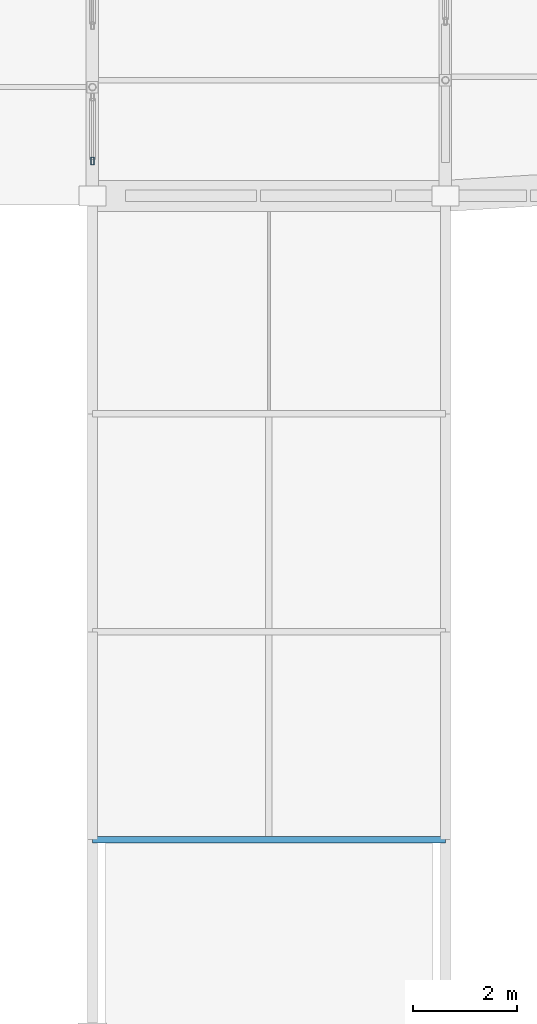
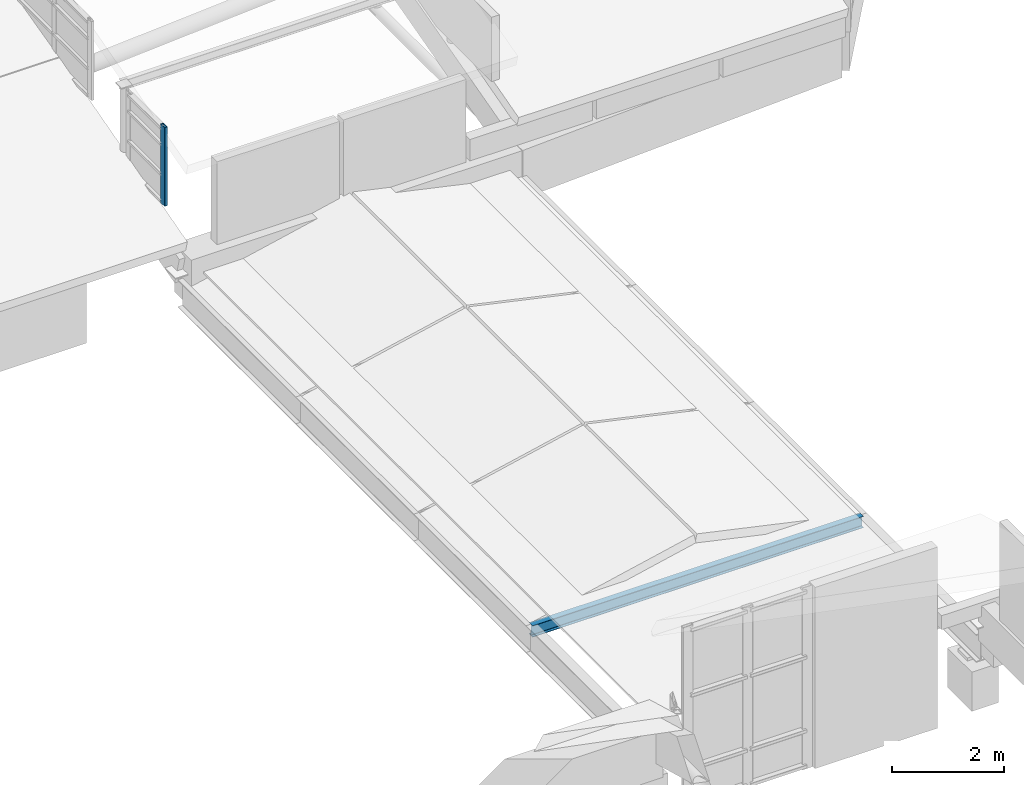
# One storey, part 64 of 188: 1 beam, 1 member, 1 element without a shape of its own.
"""IFC4 building model written with IfcOpenShell, lengths in metres."""

from ifc_helpers import new_model, si_unit, direction, frame, origin, origin_2d, place, context, subcontext, project, spatial, hollow_rectangle, i_section, extrude, material, layer, layer_set, material_profile, profile_set, type_object, element, aggregate, save


model = new_model("IFC4")

# Units and contexts
model_context = context("Model", 3, precision=1e-05, world=origin(), true_north=direction((0.0, 1.0)))
body_context = subcontext(model_context, "Body", "Model", "MODEL_VIEW")
ifc_project = project(units=[si_unit("LENGTHUNIT", "METRE"), si_unit("AREAUNIT", "SQUARE_METRE"), si_unit("VOLUMEUNIT", "CUBIC_METRE"), si_unit("PLANEANGLEUNIT", "RADIAN"), si_unit("MASSUNIT", "GRAM", prefix="KILO")], contexts=[model_context])

# Site, building, storey
site_placement = place(None, origin())
site = spatial("IfcSite", under=ifc_project, at=site_placement, CompositionType="ELEMENT")
building_placement = place(site_placement, origin())
building = spatial("IfcBuilding", under=site, at=building_placement, Name="Kisaragi Civic Commons", CompositionType="ELEMENT")
storey_placement = place(building_placement, frame((0.0, 0.0, 9.60009765625)))
storey = spatial("IfcBuildingStorey", under=building, at=storey_placement, Name="L02", CompositionType="ELEMENT", Elevation=9.60009765625)

# Curtain wall, member
ifc_material_1 = material(Name="Thermally broken anodized aluminium and low-E double glazing", Category="aluminium")
ifc_layer = layer(ifc_material_1, 0.14990234375, Name="Thermally broken anodized aluminium and low-E double glazing", Category="aluminium")
ifc_layer_set = layer_set([ifc_layer], Name="Thermally broken anodized aluminium and low-E double glazing")
curtain_wall_type = type_object("IfcCurtainWallType", Name="CW-03", PredefinedType="NOTDEFINED", material=ifc_layer_set)
curtain_wall_placement = place(storey_placement, origin())
curtain_wall = element("IfcCurtainWall", 1, at=curtain_wall_placement, inside=storey, type_object=curtain_wall_type, Name="L02 curtain wall CW-03 CW-CL-V2-179", PredefinedType="NOTDEFINED")
ifc_material_profile_1 = material_profile(ifc_material_1, hollow_rectangle(XDim=0.06005859375, YDim=0.14990234375, WallThickness=0.00390625, InnerFilletRadius=0.00390625, OuterFilletRadius=0.008056640625, at=origin_2d()), Name="CWM-60x150x4", Category="aluminium")
ifc_profile_set_1 = profile_set([ifc_material_profile_1], Name="Thermally broken anodized aluminium and low-E double glazing")
member_type = type_object("IfcMemberType", Name="CWM-01", PredefinedType="MULLION", material=ifc_profile_set_1)
member_placement = place(storey_placement, frame((13.60009765625, 79.8720703125, 0.314208984375), z_axis=(0.0, 0.0, 1.0), x_axis=(-1.0, 0.0, 0.0)))
member = element("IfcMember", 2, at=member_placement, type_object=member_type, Name="CW-03 mullion 1", PredefinedType="MULLION", context=body_context, shape_type="SweptSolid", body=[
    extrude(hollow_rectangle(XDim=0.06005859375, YDim=0.14990234375, WallThickness=0.00390625, InnerFilletRadius=0.00390625, OuterFilletRadius=0.008056640625, at=origin_2d()), origin(), (0.0, 0.0, 1.0), 1.710205078125),
])
aggregate(curtain_wall, [member])

# Beam
ifc_material_2 = material(Name="Steel SN400 (SN400B)", Category="steel")
ifc_material_profile_2 = material_profile(ifc_material_2, i_section(OverallWidth=0.125, OverallDepth=0.25, WebThickness=0.006103515625, FlangeThickness=0.009033203125, FilletRadius=0.008056640625, at=origin_2d()), Name="H-250x125x6x9", Category="steel")
ifc_profile_set_2 = profile_set([ifc_material_profile_2], Name="Steel SN400 (SN400B)")
beam_type = type_object("IfcBeamType", Name="J-05", PredefinedType="JOIST", material=ifc_profile_set_2)
beam_placement = place(storey_placement, frame((13.60009765625, 66.800048828125, -1.01513671875), z_axis=(1.0, 0.0, 0.0), x_axis=(0.0, 1.0, 0.0)))
element("IfcBeam", 3, at=beam_placement, inside=storey, type_object=beam_type, Name="BR-V2-V1 L02 cross joist 88", PredefinedType="JOIST", context=body_context, shape_type="SweptSolid", body=[
    extrude(i_section(OverallWidth=0.125, OverallDepth=0.25, WebThickness=0.006103515625, FlangeThickness=0.009033203125, FilletRadius=0.008056640625, at=origin_2d()), origin(), (0.0, 0.0, 1.0), 6.7998046875),
])

save(model, "model.ifc")
